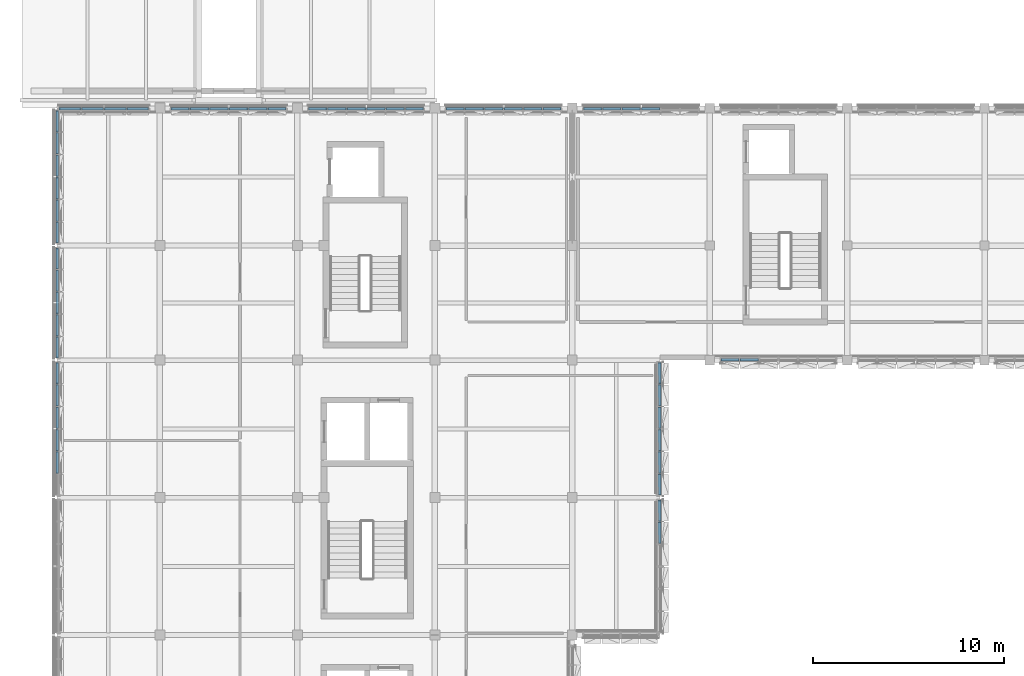
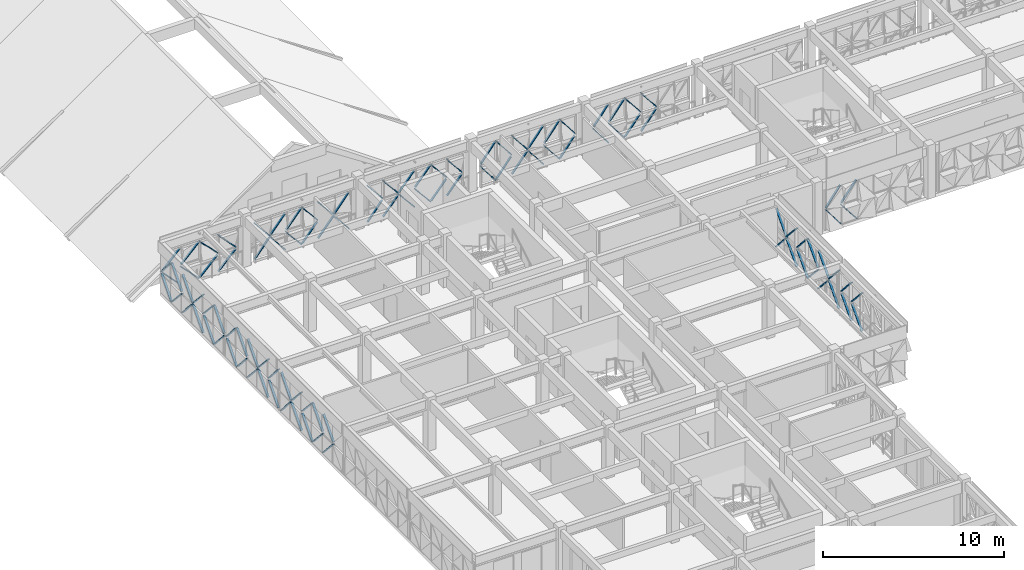
# One storey, part 36 of 48: 104 discrete accessories.
"""IFC4 building model written with IfcOpenShell, lengths in metres."""

import ifcopenshell
import ifcopenshell.guid

model = None  # the IFC model being written
_history = None  # IfcOwnerHistory: only IFC2X3 demands one
_inside = {}  # id of a spatial element -> (the spatial element, [elements in it])
_under = {}  # id of a project, library or spatial element -> (it, [spatial elements below it])
_declared = {}  # id of a project -> (the project, [libraries it declares])
_typed = {}  # id of a type object -> (the type object, [elements of that type])
_made_of = {}  # id of a material, layer set ... -> (it, [elements and type objects made of it])


def new_model(schema):
    """Start an empty IFC model of exactly this schema.

    Asked for "IFC4X3", IfcOpenShell would pick the latest addendum, in which some entities
    have other attributes; the version numbers below select the first issue.
    IFC2X3 requires an IfcOwnerHistory on every rooted entity: one is made here for all.
    """
    global model, _history
    if schema == "IFC4X3":
        model = ifcopenshell.file(schema_version=(4, 3, 0, 0))
    else:
        model = ifcopenshell.file(schema=schema)
    _inside.clear()
    _under.clear()
    _declared.clear()
    _typed.clear()
    _made_of.clear()
    _history = None
    if model.schema == "IFC2X3":
        org = make("IfcOrganization", Name="unknown")
        user = make(
            "IfcPersonAndOrganization",
            ThePerson=make("IfcPerson", FamilyName="unknown"),
            TheOrganization=org,
        )
        app = make(
            "IfcApplication",
            ApplicationDeveloper=org,
            Version="unknown",
            ApplicationFullName="unknown",
            ApplicationIdentifier="unknown",
        )
        _history = make(
            "IfcOwnerHistory",
            OwningUser=user,
            OwningApplication=app,
            ChangeAction="ADDED",
            CreationDate=0,
        )
    return model


def make(cls, **values):
    """One entity of the class cls with the attributes given. An attribute that is None is left unset."""
    return model.create_entity(
        cls, **{name: value for name, value in values.items() if value is not None}
    )


def rooted(cls, **values):
    """An entity with a GlobalId (a new one), such as an element, a storey or a relation."""
    return make(cls, GlobalId=ifcopenshell.guid.new(), OwnerHistory=_history, **values)


def si_unit(unit_type, name, prefix=None):
    """IfcSIUnit, for example si_unit("LENGTHUNIT", "METRE", prefix="MILLI")."""
    return make("IfcSIUnit", UnitType=unit_type, Prefix=prefix, Name=name)


def assignment(units):
    """IfcUnitAssignment: the units of a project."""
    return None if units is None else make("IfcUnitAssignment", Units=units)


def point(xyz):
    """IfcCartesianPoint."""
    return None if xyz is None else make("IfcCartesianPoint", Coordinates=xyz)


def direction(xyz):
    """IfcDirection."""
    return None if xyz is None else make("IfcDirection", DirectionRatios=xyz)


def frame(location, z_axis=None, x_axis=None):
    """IfcAxis2Placement3D, a coordinate frame: its origin and axes. An axis left out is left unset."""
    return make(
        "IfcAxis2Placement3D",
        Location=point(location),
        Axis=direction(z_axis),
        RefDirection=direction(x_axis),
    )


def frame_2d(location, x_axis=None):
    """IfcAxis2Placement2D, a coordinate frame in the plane: its origin and x axis."""
    return make(
        "IfcAxis2Placement2D", Location=point(location), RefDirection=direction(x_axis)
    )


def origin():
    """The frame at (0, 0, 0) with its axes left unset."""
    return frame((0.0, 0.0, 0.0))


def origin_2d():
    """The frame at (0, 0) in the plane with its x axis left unset."""
    return frame_2d((0.0, 0.0))


def place(relative_to, where):
    """IfcLocalPlacement: puts the frame where relative to a parent placement (None: the world)."""
    return make(
        "IfcLocalPlacement", PlacementRelTo=relative_to, RelativePlacement=where
    )


def context(
    kind, dimensions, precision=None, world=None, true_north=None, identifier=None
):
    """IfcGeometricRepresentationContext, for example the 3D "Model" context."""
    return make(
        "IfcGeometricRepresentationContext",
        ContextIdentifier=identifier,
        ContextType=kind,
        CoordinateSpaceDimension=dimensions,
        Precision=precision,
        WorldCoordinateSystem=world,
        TrueNorth=true_north,
    )


def subcontext(parent, identifier, kind, view, scale=None):
    """IfcGeometricRepresentationSubContext, for example "Body" below "Model"."""
    return make(
        "IfcGeometricRepresentationSubContext",
        ContextIdentifier=identifier,
        ContextType=kind,
        ParentContext=parent,
        TargetScale=scale,
        TargetView=view,
    )


def project(units=None, contexts=None):
    """IfcProject with its units and contexts."""
    return rooted(
        "IfcProject",
        Name="project",
        RepresentationContexts=contexts,
        UnitsInContext=assignment(units),
    )


def spatial(cls, under=None, at=None, **own):
    """A site, building, storey or space (cls), placed at a placement, below another one or the project."""
    s = rooted(cls, ObjectPlacement=at, **own)
    if under is not None:
        _under.setdefault(under.id(), (under, []))[1].append(s)
    return s


def profile(cls, at=None, kind="AREA", **sizes):
    """A parametric profile (cls). Its sizes go by their IFC names, for example OverallWidth=200.0."""
    return make(cls, ProfileType=kind, Position=at, **sizes)


def rectangle(**sizes):
    """IfcRectangleProfileDef."""
    return profile("IfcRectangleProfileDef", **sizes)


def extrude(swept, where, along, depth):
    """IfcExtrudedAreaSolid: the profile swept, set in the frame where, extruded along a direction by depth."""
    return make(
        "IfcExtrudedAreaSolid",
        SweptArea=swept,
        Position=where,
        ExtrudedDirection=direction(along),
        Depth=depth,
    )


def shape(context_of_items, identifier, shape_type, items):
    """IfcShapeRepresentation: the items that make up one representation, for example the "Body"."""
    return make(
        "IfcShapeRepresentation",
        ContextOfItems=context_of_items,
        RepresentationIdentifier=identifier,
        RepresentationType=shape_type,
        Items=items,
    )


def material(Name=None, Category=None):
    """IfcMaterial."""
    return make("IfcMaterial", Name=Name, Category=Category)


def made_of(thing, what):
    """Note that an element or type object is made of a material, layer set ...; save() writes the relation."""
    if what is not None:
        _made_of.setdefault(what.id(), (what, []))[1].append(thing)
    return thing


def type_object(cls, material=None, **own):
    """A type object (cls), such as IfcWallType, which elements share."""
    return made_of(rooted(cls, **own), material)


def element(
    cls,
    number,
    at=None,
    inside=None,
    cuts=None,
    type_object=None,
    material=None,
    context=None,
    identifier="Body",
    shape_type=None,
    held_by="IfcProductDefinitionShape",
    body=None,
    shapes=None,
    **own,
):
    """One element of the class cls, such as IfcWall. Its Tag is "e" and its number.

    at: its placement. inside: the storey or other place that contains it. cuts: it is an
    opening in that element (IfcRelVoidsElement). A single representation is given by context,
    identifier, shape_type and body (its items); several are given by shapes. held_by: the class
    of the entity that holds the representations. save() writes the other relations.
    """
    e = rooted(cls, Tag="e%d" % number, ObjectPlacement=at, **own)
    if body is not None:
        shapes = [shape(context, identifier, shape_type, body)]
    if shapes is not None:
        e.Representation = make(held_by, Representations=shapes)
    if inside is not None:
        _inside.setdefault(inside.id(), (inside, []))[1].append(e)
    if cuts is not None:
        rooted(
            "IfcRelVoidsElement", RelatingBuildingElement=cuts, RelatedOpeningElement=e
        )
    if type_object is not None:
        _typed.setdefault(type_object.id(), (type_object, []))[1].append(e)
    return made_of(e, material)


def aggregate(whole, parts):
    """IfcRelAggregates: a whole, such as a stair, and the parts it consists of."""
    return rooted("IfcRelAggregates", RelatingObject=whole, RelatedObjects=parts)


def save(model, path):
    """Write the relations noted so far, then the file.

    IfcRelAggregates (storeys below a building ...), IfcRelContainedInSpatialStructure (elements
    in a storey), IfcRelDefinesByType, IfcRelAssociatesMaterial and IfcRelDeclares: one each for
    every whole, place, type object, material and project.
    """
    for whole, parts in _under.values():
        aggregate(whole, parts)
    for where, things in _inside.values():
        rooted(
            "IfcRelContainedInSpatialStructure",
            RelatedElements=things,
            RelatingStructure=where,
        )
    for kind, things in _typed.values():
        rooted("IfcRelDefinesByType", RelatedObjects=things, RelatingType=kind)
    for what, things in _made_of.values():
        rooted("IfcRelAssociatesMaterial", RelatedObjects=things, RelatingMaterial=what)
    for by, libraries in _declared.values():
        rooted("IfcRelDeclares", RelatingContext=by, RelatedDefinitions=libraries)
    model.write(path)


model = new_model("IFC4")

# Units and contexts
model_context = context("Model", 3, precision=1e-05, world=origin(), true_north=direction((0.0, 1.0)))
body_context = subcontext(model_context, "Body", "Model", "MODEL_VIEW")
ifc_project = project(units=[si_unit("LENGTHUNIT", "METRE"), si_unit("AREAUNIT", "SQUARE_METRE"), si_unit("VOLUMEUNIT", "CUBIC_METRE"), si_unit("PLANEANGLEUNIT", "RADIAN"), si_unit("MASSUNIT", "GRAM", prefix="KILO")], contexts=[model_context])

# Site, building, storey
site_placement = place(None, origin())
site = spatial("IfcSite", under=ifc_project, at=site_placement, CompositionType="ELEMENT")
building_placement = place(site_placement, origin())
building = spatial("IfcBuilding", under=site, at=building_placement, Name="Alvorim Cloister Faculty of Sciences", CompositionType="ELEMENT")
storey_placement = place(building_placement, frame((0.0, 0.0, 19.35009765625)))
storey = spatial("IfcBuildingStorey", under=building, at=storey_placement, Name="L05", CompositionType="ELEMENT", Elevation=19.35009765625)

# Discrete accessories
ifc_material = material(Name="Aluminium Alloy 6063-T6", Category="aluminium")
discrete_accessory_type = type_object("IfcDiscreteAccessoryType", Name="ACC-DIAG-BAR", PredefinedType="BRACKET", material=ifc_material)
for number, where, z_axis, x_axis, name in (
    (1, (1.822509765625, 37.285888671875, 1.3583984375), (0.006076684558, 0.672881655969, -0.73972518611), (-0.999959224486, 0.009030468767, 0.0), "Diagonal Cassette Glazing Bracket ACC-02322"),
    (2, (1.822509765625, 37.285888671875, 1.498291015625), (0.006076684558, 0.672881655969, 0.73972518611), (-0.999959224486, 0.009030468767, 0.0), "Diagonal Cassette Glazing Bracket ACC-02323"),
):
    element("IfcDiscreteAccessory", number, at=place(storey_placement, frame(where, z_axis=z_axis, x_axis=x_axis)), inside=storey, type_object=discrete_accessory_type, Name=name, PredefinedType="BRACKET", context=body_context, shape_type="SweptSolid", body=[
        extrude(rectangle(XDim=0.139892578125, YDim=0.044921875, at=origin_2d()), origin(), (0.0, 0.0, 1.0), 1.647216796875),
    ])
for number, where, z_axis, x_axis, name in (
    (3, (1.822509765625, 38.459228515625, 1.3583984375), (0.006077290604, 0.67280053784, -0.739798961084), (-0.999959206518, 0.009032458133, 0.0), "Diagonal Cassette Glazing Bracket ACC-02324"),
    (4, (1.822509765625, 38.459228515625, 1.498291015625), (0.006077290604, 0.67280053784, 0.739798961084), (-0.999959206518, 0.009032458133, 0.0), "Diagonal Cassette Glazing Bracket ACC-02325"),
    (5, (1.822509765625, 39.632568359375, 0.139892578125), (0.006077290604, 0.67280053784, 0.739798961084), (-0.999959206518, 0.009032458133, 0.0), "Diagonal Cassette Glazing Bracket ACC-02326"),
    (6, (1.822509765625, 39.632568359375, 2.716796875), (0.006077290604, 0.67280053784, -0.739798961084), (-0.999959206518, 0.009032458133, 0.0), "Diagonal Cassette Glazing Bracket ACC-02327"),
    (7, (1.822509765625, 40.805908203125, 0.139892578125), (0.006077290604, 0.67280053784, 0.739798961084), (-0.999959206518, 0.009032458133, 0.0), "Diagonal Cassette Glazing Bracket ACC-02328"),
    (8, (1.822509765625, 40.805908203125, 2.716796875), (0.006077290604, 0.67280053784, -0.739798961084), (-0.999959206518, 0.009032458133, 0.0), "Diagonal Cassette Glazing Bracket ACC-02329"),
):
    element("IfcDiscreteAccessory", number, at=place(storey_placement, frame(where, z_axis=z_axis, x_axis=x_axis)), inside=storey, type_object=discrete_accessory_type, Name=name, PredefinedType="BRACKET", context=body_context, shape_type="SweptSolid", body=[
        extrude(rectangle(XDim=0.139892578125, YDim=0.044921875, at=origin_2d()), origin(), (0.0, 0.0, 1.0), 1.64697265625),
    ])
for number, where, z_axis, x_axis, name in (
    (9, (1.822509765625, 41.979248046875, 1.3583984375), (0.006158308683, 0.661792879469, -0.749661430193), (-0.999956706716, 0.009305089645, 0.0), "Diagonal Cassette Glazing Bracket ACC-02330"),
    (10, (1.822509765625, 41.979248046875, 1.498291015625), (0.006158308683, 0.661792879469, 0.749661430193), (-0.999956706716, 0.009305089645, 0.0), "Diagonal Cassette Glazing Bracket ACC-02331"),
):
    element("IfcDiscreteAccessory", number, at=place(storey_placement, frame(where, z_axis=z_axis, x_axis=x_axis)), inside=storey, type_object=discrete_accessory_type, Name=name, PredefinedType="BRACKET", context=body_context, shape_type="SweptSolid", body=[
        extrude(rectangle(XDim=0.139892578125, YDim=0.044921875, at=origin_2d()), origin(), (0.0, 0.0, 1.0), 1.62548828125),
    ])
for number, where, z_axis, x_axis, name in (
    (11, (1.822509765625, 43.344970703125, 0.139892578125), (0.006171173495, 0.660014531136, 0.751227485724), (-0.999956291083, 0.009349648332, 0.0), "Diagonal Cassette Glazing Bracket ACC-02333"),
    (12, (1.822509765625, 43.344970703125, 2.716796875), (0.006171173495, 0.660014531136, -0.751227485724), (-0.999956291083, 0.009349648332, 0.0), "Diagonal Cassette Glazing Bracket ACC-02334"),
):
    element("IfcDiscreteAccessory", number, at=place(storey_placement, frame(where, z_axis=z_axis, x_axis=x_axis)), inside=storey, type_object=discrete_accessory_type, Name=name, PredefinedType="BRACKET", context=body_context, shape_type="SweptSolid", body=[
        extrude(rectangle(XDim=0.139892578125, YDim=0.044921875, at=origin_2d()), origin(), (0.0, 0.0, 1.0), 1.6220703125),
    ])
for number, where, z_axis, x_axis, name in (
    (13, (1.822509765625, 44.48046875, 0.139892578125), (0.006090028559, 0.671091439759, 0.741349574111), (-0.999958826438, 0.009074438221, 0.0), "Diagonal Cassette Glazing Bracket ACC-02335"),
    (14, (1.822509765625, 44.48046875, 2.716796875), (0.006090028559, 0.671091439759, -0.741349574111), (-0.999958826438, 0.009074438221, 0.0), "Diagonal Cassette Glazing Bracket ACC-02336"),
    (15, (1.822509765625, 45.6484375, 1.3583984375), (0.006090028559, 0.671091439759, -0.741349574111), (-0.999958826438, 0.009074438221, 0.0), "Diagonal Cassette Glazing Bracket ACC-02337"),
    (16, (1.822509765625, 45.6484375, 1.498291015625), (0.006090028559, 0.671091439759, 0.741349574111), (-0.999958826438, 0.009074438221, 0.0), "Diagonal Cassette Glazing Bracket ACC-02338"),
    (17, (1.822509765625, 46.81640625, 1.3583984375), (0.006090028559, 0.671091439759, -0.741349574111), (-0.999958826438, 0.009074438221, 0.0), "Diagonal Cassette Glazing Bracket ACC-02339"),
    (18, (1.822509765625, 46.81640625, 1.498291015625), (0.006090028559, 0.671091439759, 0.741349574111), (-0.999958826438, 0.009074438221, 0.0), "Diagonal Cassette Glazing Bracket ACC-02340"),
):
    element("IfcDiscreteAccessory", number, at=place(storey_placement, frame(where, z_axis=z_axis, x_axis=x_axis)), inside=storey, type_object=discrete_accessory_type, Name=name, PredefinedType="BRACKET", context=body_context, shape_type="SweptSolid", body=[
        extrude(rectangle(XDim=0.139892578125, YDim=0.044921875, at=origin_2d()), origin(), (0.0, 0.0, 1.0), 1.6435546875),
    ])
for number, where, z_axis, x_axis, name in (
    (19, (1.822509765625, 47.984619140625, 0.139892578125), (0.00617178658, 0.659929569892, 0.751302117548), (-0.999956271142, 0.00935178082, 0.0), "Diagonal Cassette Glazing Bracket ACC-02341"),
    (20, (1.822509765625, 47.984619140625, 2.716796875), (0.00617178658, 0.659929569892, -0.751302117548), (-0.999956271142, 0.00935178082, 0.0), "Diagonal Cassette Glazing Bracket ACC-02342"),
):
    element("IfcDiscreteAccessory", number, at=place(storey_placement, frame(where, z_axis=z_axis, x_axis=x_axis)), inside=storey, type_object=discrete_accessory_type, Name=name, PredefinedType="BRACKET", context=body_context, shape_type="SweptSolid", body=[
        extrude(rectangle(XDim=0.139892578125, YDim=0.044921875, at=origin_2d()), origin(), (0.0, 0.0, 1.0), 1.621826171875),
    ])
for number, where, z_axis, x_axis, name in (
    (21, (1.822509765625, 49.344970703125, 1.3583984375), (0.00615769655, 0.661877285306, -0.749586914219), (-0.99995672636, 0.009302978394, 0.0), "Diagonal Cassette Glazing Bracket ACC-02344"),
    (22, (1.822509765625, 49.344970703125, 1.498291015625), (0.00615769655, 0.661877285306, 0.749586914219), (-0.99995672636, 0.009302978394, 0.0), "Diagonal Cassette Glazing Bracket ACC-02345"),
):
    element("IfcDiscreteAccessory", number, at=place(storey_placement, frame(where, z_axis=z_axis, x_axis=x_axis)), inside=storey, type_object=discrete_accessory_type, Name=name, PredefinedType="BRACKET", context=body_context, shape_type="SweptSolid", body=[
        extrude(rectangle(XDim=0.139892578125, YDim=0.044921875, at=origin_2d()), origin(), (0.0, 0.0, 1.0), 1.62548828125),
    ])
for number, where, z_axis, x_axis, name in (
    (23, (1.822509765625, 50.48583984375, 0.139892578125), (0.006076684558, 0.672881655969, 0.73972518611), (-0.999959224486, 0.009030468767, 0.0), "Diagonal Cassette Glazing Bracket ACC-02346"),
    (24, (1.822509765625, 50.48583984375, 2.716796875), (0.006076684558, 0.672881655969, -0.73972518611), (-0.999959224486, 0.009030468767, 0.0), "Diagonal Cassette Glazing Bracket ACC-02347"),
    (25, (1.822509765625, 51.6591796875, 0.139892578125), (0.006076684558, 0.672881655969, 0.73972518611), (-0.999959224486, 0.009030468767, 0.0), "Diagonal Cassette Glazing Bracket ACC-02348"),
    (26, (1.822509765625, 51.6591796875, 2.716796875), (0.006076684558, 0.672881655969, -0.73972518611), (-0.999959224486, 0.009030468767, 0.0), "Diagonal Cassette Glazing Bracket ACC-02349"),
    (27, (1.822509765625, 52.83251953125, 1.3583984375), (0.006076684558, 0.672881655969, -0.73972518611), (-0.999959224486, 0.009030468767, 0.0), "Diagonal Cassette Glazing Bracket ACC-02350"),
    (28, (1.822509765625, 52.83251953125, 1.498291015625), (0.006076684558, 0.672881655969, 0.73972518611), (-0.999959224486, 0.009030468767, 0.0), "Diagonal Cassette Glazing Bracket ACC-02351"),
    (29, (1.822509765625, 54.005859375, 1.3583984375), (0.006076684558, 0.672881655969, -0.73972518611), (-0.999959224486, 0.009030468767, 0.0), "Diagonal Cassette Glazing Bracket ACC-02352"),
    (30, (1.822509765625, 54.005859375, 1.498291015625), (0.006076684558, 0.672881655969, 0.73972518611), (-0.999959224486, 0.009030468767, 0.0), "Diagonal Cassette Glazing Bracket ACC-02353"),
):
    element("IfcDiscreteAccessory", number, at=place(storey_placement, frame(where, z_axis=z_axis, x_axis=x_axis)), inside=storey, type_object=discrete_accessory_type, Name=name, PredefinedType="BRACKET", context=body_context, shape_type="SweptSolid", body=[
        extrude(rectangle(XDim=0.139892578125, YDim=0.044921875, at=origin_2d()), origin(), (0.0, 0.0, 1.0), 1.647216796875),
    ])
for number, where, z_axis, x_axis, name in (
    (31, (1.822509765625, 55.17919921875, 0.139892578125), (0.006158308683, 0.661792879469, 0.749661430193), (-0.999956706716, 0.009305089645, 0.0), "Diagonal Cassette Glazing Bracket ACC-02354"),
    (32, (1.822509765625, 55.17919921875, 2.716796875), (0.006158308683, 0.661792879469, -0.749661430193), (-0.999956706716, 0.009305089645, 0.0), "Diagonal Cassette Glazing Bracket ACC-02355"),
):
    element("IfcDiscreteAccessory", number, at=place(storey_placement, frame(where, z_axis=z_axis, x_axis=x_axis)), inside=storey, type_object=discrete_accessory_type, Name=name, PredefinedType="BRACKET", context=body_context, shape_type="SweptSolid", body=[
        extrude(rectangle(XDim=0.139892578125, YDim=0.044921875, at=origin_2d()), origin(), (0.0, 0.0, 1.0), 1.62548828125),
    ])
for number, where, z_axis, x_axis, name in (
    (33, (1.945068359375, 56.37744140625, 1.282958984375), (0.692540460586, -0.006316831787, -0.721351376299), (0.009120866422, 0.999958404033, 0.0), "Diagonal Cassette Glazing Bracket ACC-02357"),
    (34, (1.945068359375, 56.37744140625, 1.4228515625), (0.692540460586, -0.006316831787, 0.721351376299), (0.009120866422, 0.999958404033, 0.0), "Diagonal Cassette Glazing Bracket ACC-02358"),
):
    element("IfcDiscreteAccessory", number, at=place(storey_placement, frame(where, z_axis=z_axis, x_axis=x_axis)), inside=storey, type_object=discrete_accessory_type, Name=name, PredefinedType="BRACKET", context=body_context, shape_type="SweptSolid", body=[
        extrude(rectangle(XDim=0.139892578125, YDim=0.044921875, at=origin_2d()), origin(), (0.0, 0.0, 1.0), 1.584716796875),
    ])
for number, where, z_axis, x_axis, name in (
    (35, (3.107421875, 56.37744140625, 1.282958984375), (0.703056771974, -0.006227117661, -0.711106460657), (0.008856857176, 0.999960777271, 0.0), "Diagonal Cassette Glazing Bracket ACC-02359"),
    (36, (3.107421875, 56.37744140625, 1.4228515625), (0.703056771974, -0.006227117661, 0.711106460657), (0.008856857176, 0.999960777271, 0.0), "Diagonal Cassette Glazing Bracket ACC-02360"),
    (37, (4.302490234375, 56.37744140625, 0.139892578125), (0.703056771974, -0.006227117661, 0.711106460657), (0.008856857176, 0.999960777271, 0.0), "Diagonal Cassette Glazing Bracket ACC-02361"),
    (38, (4.302490234375, 56.37744140625, 2.56591796875), (0.703056771974, -0.006227117661, -0.711106460657), (0.008856857176, 0.999960777271, 0.0), "Diagonal Cassette Glazing Bracket ACC-02362"),
):
    element("IfcDiscreteAccessory", number, at=place(storey_placement, frame(where, z_axis=z_axis, x_axis=x_axis)), inside=storey, type_object=discrete_accessory_type, Name=name, PredefinedType="BRACKET", context=body_context, shape_type="SweptSolid", body=[
        extrude(rectangle(XDim=0.139892578125, YDim=0.044921875, at=origin_2d()), origin(), (0.0, 0.0, 1.0), 1.607421875),
    ])
for number, where, z_axis, x_axis, name in (
    (39, (5.49755859375, 56.37744140625, 0.139892578125), (0.692540460586, -0.006316831787, 0.721351376299), (0.009120866422, 0.999958404033, 0.0), "Diagonal Cassette Glazing Bracket ACC-02363"),
    (40, (5.49755859375, 56.37744140625, 2.56591796875), (0.692540460586, -0.006316831787, -0.721351376299), (0.009120866422, 0.999958404033, 0.0), "Diagonal Cassette Glazing Bracket ACC-02364"),
):
    element("IfcDiscreteAccessory", number, at=place(storey_placement, frame(where, z_axis=z_axis, x_axis=x_axis)), inside=storey, type_object=discrete_accessory_type, Name=name, PredefinedType="BRACKET", context=body_context, shape_type="SweptSolid", body=[
        extrude(rectangle(XDim=0.139892578125, YDim=0.044921875, at=origin_2d()), origin(), (0.0, 0.0, 1.0), 1.584716796875),
    ])
for number, where, z_axis, x_axis, name in (
    (41, (7.804931640625, 56.37744140625, 0.139892578125), (0.628059424727, -0.006814087434, 0.778135545534), (0.010848792579, 0.999941150118, 0.0), "Diagonal Cassette Glazing Bracket ACC-02366"),
    (42, (7.804931640625, 56.37744140625, 2.56591796875), (0.628059424727, -0.006814087434, -0.778135545534), (0.010848792579, 0.999941150118, 0.0), "Diagonal Cassette Glazing Bracket ACC-02367"),
):
    element("IfcDiscreteAccessory", number, at=place(storey_placement, frame(where, z_axis=z_axis, x_axis=x_axis)), inside=storey, type_object=discrete_accessory_type, Name=name, PredefinedType="BRACKET", context=body_context, shape_type="SweptSolid", body=[
        extrude(rectangle(XDim=0.139892578125, YDim=0.044921875, at=origin_2d()), origin(), (0.0, 0.0, 1.0), 1.468994140625),
    ])
for number, where, z_axis, x_axis, name in (
    (43, (8.79248046875, 56.37744140625, 1.282958984375), (0.641168912593, -0.006719817335, -0.767370360113), (0.010479997039, 0.999945083323, 0.0), "Diagonal Cassette Glazing Bracket ACC-02368"),
    (44, (8.79248046875, 56.37744140625, 1.4228515625), (0.641168912593, -0.006719817335, 0.767370360113), (0.010479997039, 0.999945083323, 0.0), "Diagonal Cassette Glazing Bracket ACC-02369"),
    (45, (9.8125, 56.37744140625, 1.282958984375), (0.641168912593, -0.006719817335, -0.767370360113), (0.010479997039, 0.999945083323, 0.0), "Diagonal Cassette Glazing Bracket ACC-02370"),
    (46, (9.8125, 56.37744140625, 1.4228515625), (0.641168912593, -0.006719817335, 0.767370360113), (0.010479997039, 0.999945083323, 0.0), "Diagonal Cassette Glazing Bracket ACC-02371"),
    (47, (10.83251953125, 56.37744140625, 0.139892578125), (0.641168912593, -0.006719817335, 0.767370360113), (0.010479997039, 0.999945083323, 0.0), "Diagonal Cassette Glazing Bracket ACC-02372"),
    (48, (10.83251953125, 56.37744140625, 2.56591796875), (0.641168912593, -0.006719817335, -0.767370360113), (0.010479997039, 0.999945083323, 0.0), "Diagonal Cassette Glazing Bracket ACC-02373"),
    (49, (11.8525390625, 56.37744140625, 0.139892578125), (0.641168912593, -0.006719817335, 0.767370360113), (0.010479997039, 0.999945083323, 0.0), "Diagonal Cassette Glazing Bracket ACC-02374"),
    (50, (11.8525390625, 56.37744140625, 2.56591796875), (0.641168912593, -0.006719817335, -0.767370360113), (0.010479997039, 0.999945083323, 0.0), "Diagonal Cassette Glazing Bracket ACC-02375"),
):
    element("IfcDiscreteAccessory", number, at=place(storey_placement, frame(where, z_axis=z_axis, x_axis=x_axis)), inside=storey, type_object=discrete_accessory_type, Name=name, PredefinedType="BRACKET", context=body_context, shape_type="SweptSolid", body=[
        extrude(rectangle(XDim=0.139892578125, YDim=0.044921875, at=origin_2d()), origin(), (0.0, 0.0, 1.0), 1.489501953125),
    ])
for number, where, z_axis, x_axis, name in (
    (51, (12.87255859375, 56.37744140625, 1.282958984375), (0.627958769657, -0.006814798718, -0.778216770655), (0.010851663811, 0.999941118963, 0.0), "Diagonal Cassette Glazing Bracket ACC-02376"),
    (52, (12.87255859375, 56.37744140625, 1.4228515625), (0.627958769657, -0.006814798718, 0.778216770655), (0.010851663811, 0.999941118963, 0.0), "Diagonal Cassette Glazing Bracket ACC-02377"),
):
    element("IfcDiscreteAccessory", number, at=place(storey_placement, frame(where, z_axis=z_axis, x_axis=x_axis)), inside=storey, type_object=discrete_accessory_type, Name=name, PredefinedType="BRACKET", context=body_context, shape_type="SweptSolid", body=[
        extrude(rectangle(XDim=0.139892578125, YDim=0.044921875, at=origin_2d()), origin(), (0.0, 0.0, 1.0), 1.46875),
    ])
for number, where, z_axis, x_axis, name in (
    (53, (15.0048828125, 56.37744140625, 0.139892578125), (0.628059424727, -0.006814087434, 0.778135545534), (0.010848792579, 0.999941150118, 0.0), "Diagonal Cassette Glazing Bracket ACC-02379"),
    (54, (15.0048828125, 56.37744140625, 2.56591796875), (0.628059424727, -0.006814087434, -0.778135545534), (0.010848792579, 0.999941150118, 0.0), "Diagonal Cassette Glazing Bracket ACC-02380"),
):
    element("IfcDiscreteAccessory", number, at=place(storey_placement, frame(where, z_axis=z_axis, x_axis=x_axis)), inside=storey, type_object=discrete_accessory_type, Name=name, PredefinedType="BRACKET", context=body_context, shape_type="SweptSolid", body=[
        extrude(rectangle(XDim=0.139892578125, YDim=0.044921875, at=origin_2d()), origin(), (0.0, 0.0, 1.0), 1.468994140625),
    ])
for number, where, z_axis, x_axis, name in (
    (55, (15.992431640625, 56.37744140625, 0.139892578125), (0.641168912593, -0.006719817335, 0.767370360113), (0.010479997039, 0.999945083323, 0.0), "Diagonal Cassette Glazing Bracket ACC-02381"),
    (56, (15.992431640625, 56.37744140625, 2.56591796875), (0.641168912593, -0.006719817335, -0.767370360113), (0.010479997039, 0.999945083323, 0.0), "Diagonal Cassette Glazing Bracket ACC-02382"),
    (57, (17.012451171875, 56.37744140625, 1.282958984375), (0.641168912593, -0.006719817335, -0.767370360113), (0.010479997039, 0.999945083323, 0.0), "Diagonal Cassette Glazing Bracket ACC-02383"),
    (58, (17.012451171875, 56.37744140625, 1.4228515625), (0.641168912593, -0.006719817335, 0.767370360113), (0.010479997039, 0.999945083323, 0.0), "Diagonal Cassette Glazing Bracket ACC-02384"),
    (59, (18.032470703125, 56.37744140625, 1.282958984375), (0.641168912593, -0.006719817335, -0.767370360113), (0.010479997039, 0.999945083323, 0.0), "Diagonal Cassette Glazing Bracket ACC-02385"),
    (60, (18.032470703125, 56.37744140625, 1.4228515625), (0.641168912593, -0.006719817335, 0.767370360113), (0.010479997039, 0.999945083323, 0.0), "Diagonal Cassette Glazing Bracket ACC-02386"),
    (61, (19.052490234375, 56.37744140625, 0.139892578125), (0.641168912593, -0.006719817335, 0.767370360113), (0.010479997039, 0.999945083323, 0.0), "Diagonal Cassette Glazing Bracket ACC-02387"),
    (62, (19.052490234375, 56.37744140625, 2.56591796875), (0.641168912593, -0.006719817335, -0.767370360113), (0.010479997039, 0.999945083323, 0.0), "Diagonal Cassette Glazing Bracket ACC-02388"),
):
    element("IfcDiscreteAccessory", number, at=place(storey_placement, frame(where, z_axis=z_axis, x_axis=x_axis)), inside=storey, type_object=discrete_accessory_type, Name=name, PredefinedType="BRACKET", context=body_context, shape_type="SweptSolid", body=[
        extrude(rectangle(XDim=0.139892578125, YDim=0.044921875, at=origin_2d()), origin(), (0.0, 0.0, 1.0), 1.489501953125),
    ])
for number, where, z_axis, x_axis, name in (
    (63, (20.072509765625, 56.37744140625, 0.139892578125), (0.628059424727, -0.006814087434, 0.778135545534), (0.010848792579, 0.999941150118, 0.0), "Diagonal Cassette Glazing Bracket ACC-02389"),
    (64, (20.072509765625, 56.37744140625, 2.56591796875), (0.628059424727, -0.006814087434, -0.778135545534), (0.010848792579, 0.999941150118, 0.0), "Diagonal Cassette Glazing Bracket ACC-02390"),
):
    element("IfcDiscreteAccessory", number, at=place(storey_placement, frame(where, z_axis=z_axis, x_axis=x_axis)), inside=storey, type_object=discrete_accessory_type, Name=name, PredefinedType="BRACKET", context=body_context, shape_type="SweptSolid", body=[
        extrude(rectangle(XDim=0.139892578125, YDim=0.044921875, at=origin_2d()), origin(), (0.0, 0.0, 1.0), 1.468994140625),
    ])
for number, where, z_axis, x_axis, name in (
    (65, (22.205078125, 56.37744140625, 1.35498046875), (0.604611624251, -0.006561428426, -0.796493397008), (0.010851663811, 0.999941118963, 0.0), "Diagonal Cassette Glazing Bracket ACC-02392"),
    (66, (22.205078125, 56.37744140625, 1.494873046875), (0.604611624251, -0.006561428426, 0.796493397008), (0.010851663811, 0.999941118963, 0.0), "Diagonal Cassette Glazing Bracket ACC-02393"),
):
    element("IfcDiscreteAccessory", number, at=place(storey_placement, frame(where, z_axis=z_axis, x_axis=x_axis)), inside=storey, type_object=discrete_accessory_type, Name=name, PredefinedType="BRACKET", context=body_context, shape_type="SweptSolid", body=[
        extrude(rectangle(XDim=0.139892578125, YDim=0.044921875, at=origin_2d()), origin(), (0.0, 0.0, 1.0), 1.525634765625),
    ])
for number, where, z_axis, x_axis, name in (
    (67, (23.1923828125, 56.37744140625, 0.139892578125), (0.617955086572, -0.006476523147, 0.786186724404), (0.010479997039, 0.999945083323, 0.0), "Diagonal Cassette Glazing Bracket ACC-02394"),
    (68, (23.1923828125, 56.37744140625, 2.7099609375), (0.617955086572, -0.006476523147, -0.786186724404), (0.010479997039, 0.999945083323, 0.0), "Diagonal Cassette Glazing Bracket ACC-02395"),
    (69, (24.21240234375, 56.37744140625, 0.139892578125), (0.617955086572, -0.006476523147, 0.786186724404), (0.010479997039, 0.999945083323, 0.0), "Diagonal Cassette Glazing Bracket ACC-02396"),
    (70, (24.21240234375, 56.37744140625, 2.7099609375), (0.617955086572, -0.006476523147, -0.786186724404), (0.010479997039, 0.999945083323, 0.0), "Diagonal Cassette Glazing Bracket ACC-02397"),
    (71, (25.232421875, 56.37744140625, 1.35498046875), (0.617955086572, -0.006476523147, -0.786186724404), (0.010479997039, 0.999945083323, 0.0), "Diagonal Cassette Glazing Bracket ACC-02398"),
    (72, (25.232421875, 56.37744140625, 1.494873046875), (0.617955086572, -0.006476523147, 0.786186724404), (0.010479997039, 0.999945083323, 0.0), "Diagonal Cassette Glazing Bracket ACC-02399"),
    (73, (26.25244140625, 56.37744140625, 1.35498046875), (0.617955086572, -0.006476523147, -0.786186724404), (0.010479997039, 0.999945083323, 0.0), "Diagonal Cassette Glazing Bracket ACC-02400"),
    (74, (26.25244140625, 56.37744140625, 1.494873046875), (0.617955086572, -0.006476523147, 0.786186724404), (0.010479997039, 0.999945083323, 0.0), "Diagonal Cassette Glazing Bracket ACC-02401"),
):
    element("IfcDiscreteAccessory", number, at=place(storey_placement, frame(where, z_axis=z_axis, x_axis=x_axis)), inside=storey, type_object=discrete_accessory_type, Name=name, PredefinedType="BRACKET", context=body_context, shape_type="SweptSolid", body=[
        extrude(rectangle(XDim=0.139892578125, YDim=0.044921875, at=origin_2d()), origin(), (0.0, 0.0, 1.0), 1.545654296875),
    ])
for number, where, z_axis, x_axis, name in (
    (75, (27.2724609375, 56.37744140625, 0.139892578125), (0.604713142785, -0.006560793558, 0.796416330151), (0.010848792579, 0.999941150118, 0.0), "Diagonal Cassette Glazing Bracket ACC-02402"),
    (76, (27.2724609375, 56.37744140625, 2.7099609375), (0.604713142785, -0.006560793558, -0.796416330151), (0.010848792579, 0.999941150118, 0.0), "Diagonal Cassette Glazing Bracket ACC-02403"),
    (77, (29.405029296875, 56.37744140625, 1.35498046875), (0.604611624251, -0.006561428426, -0.796493397008), (0.010851663811, 0.999941118963, 0.0), "Diagonal Cassette Glazing Bracket ACC-02405"),
    (78, (29.405029296875, 56.37744140625, 1.494873046875), (0.604611624251, -0.006561428426, 0.796493397008), (0.010851663811, 0.999941118963, 0.0), "Diagonal Cassette Glazing Bracket ACC-02406"),
):
    element("IfcDiscreteAccessory", number, at=place(storey_placement, frame(where, z_axis=z_axis, x_axis=x_axis)), inside=storey, type_object=discrete_accessory_type, Name=name, PredefinedType="BRACKET", context=body_context, shape_type="SweptSolid", body=[
        extrude(rectangle(XDim=0.139892578125, YDim=0.044921875, at=origin_2d()), origin(), (0.0, 0.0, 1.0), 1.525634765625),
    ])
for number, where, z_axis, x_axis, name in (
    (79, (30.392578125, 56.37744140625, 1.35498046875), (0.61785742976, -0.006477155362, -0.786263469168), (0.010482676365, 0.999945055239, 0.0), "Diagonal Cassette Glazing Bracket ACC-02407"),
    (80, (30.392578125, 56.37744140625, 1.494873046875), (0.61785742976, -0.006477155362, 0.786263469168), (0.010482676365, 0.999945055239, 0.0), "Diagonal Cassette Glazing Bracket ACC-02408"),
    (81, (31.41259765625, 56.37744140625, 0.139892578125), (0.61785742976, -0.006477155362, 0.786263469168), (0.010482676365, 0.999945055239, 0.0), "Diagonal Cassette Glazing Bracket ACC-02409"),
    (82, (31.41259765625, 56.37744140625, 2.7099609375), (0.61785742976, -0.006477155362, -0.786263469168), (0.010482676365, 0.999945055239, 0.0), "Diagonal Cassette Glazing Bracket ACC-02410"),
    (83, (32.4326171875, 56.37744140625, 0.139892578125), (0.61785742976, -0.006477155362, 0.786263469168), (0.010482676365, 0.999945055239, 0.0), "Diagonal Cassette Glazing Bracket ACC-02411"),
    (84, (32.4326171875, 56.37744140625, 2.7099609375), (0.61785742976, -0.006477155362, -0.786263469168), (0.010482676365, 0.999945055239, 0.0), "Diagonal Cassette Glazing Bracket ACC-02412"),
):
    element("IfcDiscreteAccessory", number, at=place(storey_placement, frame(where, z_axis=z_axis, x_axis=x_axis)), inside=storey, type_object=discrete_accessory_type, Name=name, PredefinedType="BRACKET", context=body_context, shape_type="SweptSolid", body=[
        extrude(rectangle(XDim=0.139892578125, YDim=0.044921875, at=origin_2d()), origin(), (0.0, 0.0, 1.0), 1.54541015625),
    ])
for number, where, z_axis, x_axis, name in (
    (85, (36.60498046875, 43.222412109375, 1.35498046875), (0.604713142785, 0.006560793558, -0.796416330151), (-0.010848792579, 0.999941150118, 0.0), "Diagonal Cassette Glazing Bracket ACC-02505"),
    (86, (36.60498046875, 43.222412109375, 1.494873046875), (0.604713142785, 0.006560793558, 0.796416330151), (-0.010848792579, 0.999941150118, 0.0), "Diagonal Cassette Glazing Bracket ACC-02506"),
):
    element("IfcDiscreteAccessory", number, at=place(storey_placement, frame(where, z_axis=z_axis, x_axis=x_axis)), inside=storey, type_object=discrete_accessory_type, Name=name, PredefinedType="BRACKET", context=body_context, shape_type="SweptSolid", body=[
        extrude(rectangle(XDim=0.139892578125, YDim=0.044921875, at=origin_2d()), origin(), (0.0, 0.0, 1.0), 1.525634765625),
    ])
for number, where, z_axis, x_axis, name in (
    (87, (37.592529296875, 43.222412109375, 1.35498046875), (0.617955086572, 0.006476523147, -0.786186724404), (-0.010479997039, 0.999945083323, 0.0), "Diagonal Cassette Glazing Bracket ACC-02507"),
    (88, (37.592529296875, 43.222412109375, 1.494873046875), (0.617955086572, 0.006476523147, 0.786186724404), (-0.010479997039, 0.999945083323, 0.0), "Diagonal Cassette Glazing Bracket ACC-02508"),
):
    element("IfcDiscreteAccessory", number, at=place(storey_placement, frame(where, z_axis=z_axis, x_axis=x_axis)), inside=storey, type_object=discrete_accessory_type, Name=name, PredefinedType="BRACKET", context=body_context, shape_type="SweptSolid", body=[
        extrude(rectangle(XDim=0.139892578125, YDim=0.044921875, at=origin_2d()), origin(), (0.0, 0.0, 1.0), 1.545654296875),
    ])
for number, where, z_axis, x_axis, name in (
    (89, (33.37744140625, 36.14501953125, 0.139892578125), (-0.00615769655, 0.661877285306, 0.749586914219), (-0.99995672636, -0.009302978394, 0.0), "Diagonal Cassette Glazing Bracket ACC-02518"),
    (90, (33.37744140625, 36.14501953125, 2.716796875), (-0.00615769655, 0.661877285306, -0.749586914219), (-0.99995672636, -0.009302978394, 0.0), "Diagonal Cassette Glazing Bracket ACC-02519"),
):
    element("IfcDiscreteAccessory", number, at=place(storey_placement, frame(where, z_axis=z_axis, x_axis=x_axis)), inside=storey, type_object=discrete_accessory_type, Name=name, PredefinedType="BRACKET", context=body_context, shape_type="SweptSolid", body=[
        extrude(rectangle(XDim=0.139892578125, YDim=0.044921875, at=origin_2d()), origin(), (0.0, 0.0, 1.0), 1.62548828125),
    ])
for number, where, z_axis, x_axis, name in (
    (91, (33.37744140625, 37.285888671875, 1.3583984375), (-0.006076684558, 0.672881655969, -0.73972518611), (-0.999959224486, -0.009030468767, 0.0), "Diagonal Cassette Glazing Bracket ACC-02520"),
    (92, (33.37744140625, 37.285888671875, 1.498291015625), (-0.006076684558, 0.672881655969, 0.73972518611), (-0.999959224486, -0.009030468767, 0.0), "Diagonal Cassette Glazing Bracket ACC-02521"),
):
    element("IfcDiscreteAccessory", number, at=place(storey_placement, frame(where, z_axis=z_axis, x_axis=x_axis)), inside=storey, type_object=discrete_accessory_type, Name=name, PredefinedType="BRACKET", context=body_context, shape_type="SweptSolid", body=[
        extrude(rectangle(XDim=0.139892578125, YDim=0.044921875, at=origin_2d()), origin(), (0.0, 0.0, 1.0), 1.647216796875),
    ])
for number, where, z_axis, x_axis, name in (
    (93, (33.37744140625, 38.459228515625, 1.3583984375), (-0.006077290604, 0.67280053784, -0.739798961084), (-0.999959206518, -0.009032458133, 0.0), "Diagonal Cassette Glazing Bracket ACC-02522"),
    (94, (33.37744140625, 38.459228515625, 1.498291015625), (-0.006077290604, 0.67280053784, 0.739798961084), (-0.999959206518, -0.009032458133, 0.0), "Diagonal Cassette Glazing Bracket ACC-02523"),
    (95, (33.37744140625, 39.632568359375, 0.139892578125), (-0.006077290604, 0.67280053784, 0.739798961084), (-0.999959206518, -0.009032458133, 0.0), "Diagonal Cassette Glazing Bracket ACC-02524"),
    (96, (33.37744140625, 39.632568359375, 2.716796875), (-0.006077290604, 0.67280053784, -0.739798961084), (-0.999959206518, -0.009032458133, 0.0), "Diagonal Cassette Glazing Bracket ACC-02525"),
    (97, (33.37744140625, 40.805908203125, 0.139892578125), (-0.006077290604, 0.67280053784, 0.739798961084), (-0.999959206518, -0.009032458133, 0.0), "Diagonal Cassette Glazing Bracket ACC-02526"),
    (98, (33.37744140625, 40.805908203125, 2.716796875), (-0.006077290604, 0.67280053784, -0.739798961084), (-0.999959206518, -0.009032458133, 0.0), "Diagonal Cassette Glazing Bracket ACC-02527"),
):
    element("IfcDiscreteAccessory", number, at=place(storey_placement, frame(where, z_axis=z_axis, x_axis=x_axis)), inside=storey, type_object=discrete_accessory_type, Name=name, PredefinedType="BRACKET", context=body_context, shape_type="SweptSolid", body=[
        extrude(rectangle(XDim=0.139892578125, YDim=0.044921875, at=origin_2d()), origin(), (0.0, 0.0, 1.0), 1.64697265625),
    ])
for number, where, z_axis, x_axis, name in (
    (99, (33.37744140625, 41.979248046875, 1.3583984375), (-0.006158308683, 0.661792879469, -0.749661430193), (-0.999956706716, -0.009305089645, 0.0), "Diagonal Cassette Glazing Bracket ACC-02528"),
    (100, (33.37744140625, 41.979248046875, 1.498291015625), (-0.006158308683, 0.661792879469, 0.749661430193), (-0.999956706716, -0.009305089645, 0.0), "Diagonal Cassette Glazing Bracket ACC-02529"),
):
    element("IfcDiscreteAccessory", number, at=place(storey_placement, frame(where, z_axis=z_axis, x_axis=x_axis)), inside=storey, type_object=discrete_accessory_type, Name=name, PredefinedType="BRACKET", context=body_context, shape_type="SweptSolid", body=[
        extrude(rectangle(XDim=0.139892578125, YDim=0.044921875, at=origin_2d()), origin(), (0.0, 0.0, 1.0), 1.62548828125),
    ])
for number, where, z_axis, x_axis, name in (
    (101, (33.37744140625, 33.605712890625, 0.139892578125), (-0.006076684558, 0.672881655969, 0.73972518611), (-0.999959224486, -0.009030468767, 0.0), "Diagonal Cassette Glazing Bracket ACC-02539"),
    (102, (33.37744140625, 33.605712890625, 2.716796875), (-0.006076684558, 0.672881655969, -0.73972518611), (-0.999959224486, -0.009030468767, 0.0), "Diagonal Cassette Glazing Bracket ACC-02540"),
):
    element("IfcDiscreteAccessory", number, at=place(storey_placement, frame(where, z_axis=z_axis, x_axis=x_axis)), inside=storey, type_object=discrete_accessory_type, Name=name, PredefinedType="BRACKET", context=body_context, shape_type="SweptSolid", body=[
        extrude(rectangle(XDim=0.139892578125, YDim=0.044921875, at=origin_2d()), origin(), (0.0, 0.0, 1.0), 1.647216796875),
    ])
for number, where, z_axis, x_axis, name in (
    (103, (33.37744140625, 34.779052734375, 0.139892578125), (-0.00615769655, 0.661877285306, 0.749586914219), (-0.99995672636, -0.009302978394, 0.0), "Diagonal Cassette Glazing Bracket ACC-02541"),
    (104, (33.37744140625, 34.779052734375, 2.716796875), (-0.00615769655, 0.661877285306, -0.749586914219), (-0.99995672636, -0.009302978394, 0.0), "Diagonal Cassette Glazing Bracket ACC-02542"),
):
    element("IfcDiscreteAccessory", number, at=place(storey_placement, frame(where, z_axis=z_axis, x_axis=x_axis)), inside=storey, type_object=discrete_accessory_type, Name=name, PredefinedType="BRACKET", context=body_context, shape_type="SweptSolid", body=[
        extrude(rectangle(XDim=0.139892578125, YDim=0.044921875, at=origin_2d()), origin(), (0.0, 0.0, 1.0), 1.62548828125),
    ])

save(model, "model.ifc")
